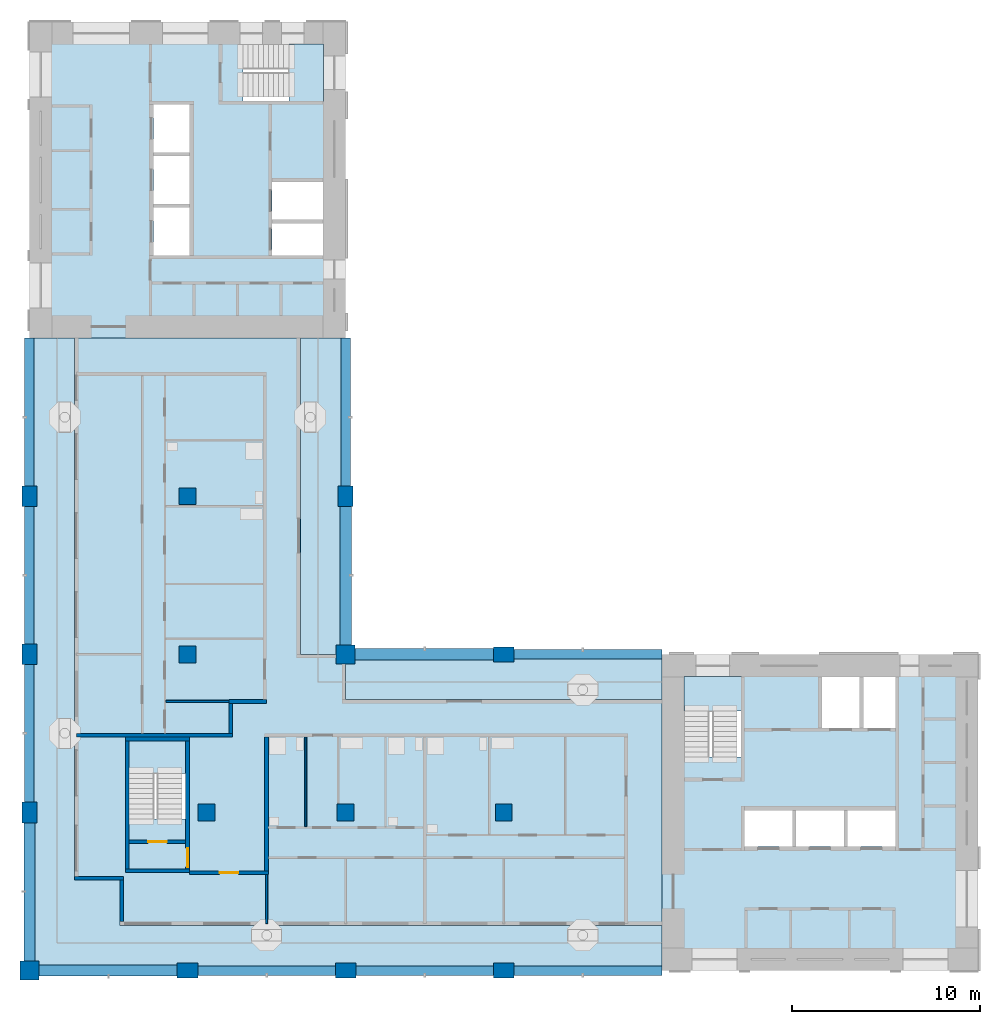
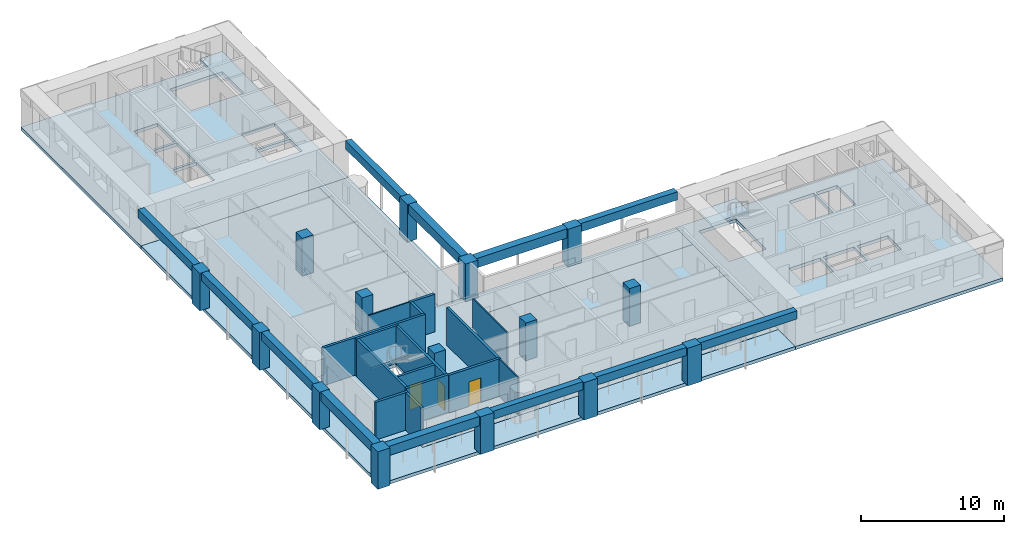
# One storey, part 1 of 12: 15 columns, 15 walls, 12 beams, 10 slabs, 3 doors, 3 openings, 3 elements without a shape of their own.
"""IFC4 building model written with IfcOpenShell, lengths in metres."""

from ifc_helpers import new_model, si_unit, direction, frame, frame_2d, origin, origin_2d, place, context, subcontext, project, spatial, polyline, rectangle, outline, extrude, material, layer, layer_set, material_profile, profile_set, type_object, element, fill, aggregate, save


model = new_model("IFC4")

# Units and contexts
model_context = context("Model", 3, precision=1e-05, world=origin(), true_north=direction((0.0, 1.0)))
body_context = subcontext(model_context, "Body", "Model", "MODEL_VIEW")
ifc_project = project(units=[si_unit("LENGTHUNIT", "METRE"), si_unit("AREAUNIT", "SQUARE_METRE"), si_unit("VOLUMEUNIT", "CUBIC_METRE"), si_unit("PLANEANGLEUNIT", "RADIAN"), si_unit("MASSUNIT", "GRAM", prefix="KILO")], contexts=[model_context])

# Site, building, storey
site_placement = place(None, origin())
site = spatial("IfcSite", under=ifc_project, at=site_placement, CompositionType="ELEMENT")
building_placement = place(site_placement, origin())
building = spatial("IfcBuilding", under=site, at=building_placement, Name="Vermilion Gate Residences", CompositionType="ELEMENT")
storey_placement = place(building_placement, frame((0.0, 0.0, 242.199951171875)))
storey = spatial("IfcBuildingStorey", under=building, at=storey_placement, Name="L63", CompositionType="ELEMENT", Elevation=242.199951171875)

# Columns
ifc_material_1 = material(Name="Concrete C50", Category="concrete")
ifc_material_profile_1 = material_profile(ifc_material_1, rectangle(XDim=1.0, YDim=1.0, at=origin_2d()), Name="RC-1000x1000")
ifc_profile_set_1 = profile_set([ifc_material_profile_1], Name="Concrete C50")
column_type_1 = type_object("IfcColumnType", Name="RC COLUMN 1000 X 1000 C50", PredefinedType="COLUMN", material=ifc_profile_set_1)
for number, where, z_axis, x_axis, name in (
    (1, (8.39990234375, 8.39990234375, 0.0), (0.0, 0.0, 1.0), (1.0, 0.0, 0.0), "Column 2-B L63"),
    (2, (25.199951171875, 25.199951171875, 0.0), (0.0, 0.0, 1.0), (1.0, 0.0, 0.0), "Column 4-D L63"),
):
    element("IfcColumn", number, at=place(storey_placement, frame(where, z_axis=z_axis, x_axis=x_axis)), inside=storey, type_object=column_type_1, Name=name, PredefinedType="COLUMN", context=body_context, shape_type="SweptSolid", body=[
        extrude(rectangle(XDim=1.0, YDim=1.0, at=origin_2d()), origin(), (0.0, 0.0, 1.0), 3.219970703125),
    ])
ifc_material_2 = material(Name="Concrete C50", Category="concrete")
ifc_material_profile_2 = material_profile(ifc_material_2, rectangle(XDim=1.10009765625, YDim=0.800048828125, at=origin_2d()), Name="RC-1100x800")
ifc_profile_set_2 = profile_set([ifc_material_profile_2], Name="Concrete C50")
column_type_2 = type_object("IfcColumnType", Name="RC COLUMN 1100 X 800 C50", PredefinedType="COLUMN", material=ifc_profile_set_2)
for number, where, z_axis, x_axis, name in (
    (3, (8.39990234375, 16.800048828125, 0.0), (0.0, 0.0, 1.0), (0.0, 1.0, 0.0), "Column 2-C L63"),
    (4, (8.39990234375, 25.199951171875, 0.0), (0.0, 0.0, 1.0), (0.0, 1.0, 0.0), "Column 2-D L63"),
    (5, (8.39990234375, 33.60009765625, 0.0), (0.0, 0.0, 1.0), (0.0, 1.0, 0.0), "Column 2-E L63"),
    (6, (16.800048828125, 8.39990234375, 0.0), (0.0, 0.0, 1.0), (1.0, 0.0, 0.0), "Column 3-B L63"),
    (7, (25.199951171875, 8.39990234375, 0.0), (0.0, 0.0, 1.0), (1.0, 0.0, 0.0), "Column 4-B L63"),
    (8, (25.199951171875, 33.60009765625, 0.0), (0.0, 0.0, 1.0), (0.0, 1.0, 0.0), "Column 4-E L63"),
    (9, (33.60009765625, 8.39990234375, 0.0), (0.0, 0.0, 1.0), (1.0, 0.0, 0.0), "Column 5-B L63"),
    (10, (33.60009765625, 25.199951171875, 0.0), (0.0, 0.0, 1.0), (1.0, 0.0, 0.0), "Column 5-D L63"),
):
    element("IfcColumn", number, at=place(storey_placement, frame(where, z_axis=z_axis, x_axis=x_axis)), inside=storey, type_object=column_type_2, Name=name, PredefinedType="COLUMN", context=body_context, shape_type="SweptSolid", body=[
        extrude(rectangle(XDim=1.10009765625, YDim=0.800048828125, at=origin_2d()), origin(), (0.0, 0.0, 1.0), 3.219970703125),
    ])
ifc_material_3 = material(Name="Concrete C50", Category="concrete")
ifc_material_profile_3 = material_profile(ifc_material_3, rectangle(XDim=0.89990234375, YDim=0.89990234375, at=origin_2d()), Name="RC-900x900")
ifc_profile_set_3 = profile_set([ifc_material_profile_3], Name="Concrete C50")
column_type_3 = type_object("IfcColumnType", Name="RC COLUMN 900 X 900 C50", PredefinedType="COLUMN", material=ifc_profile_set_3)
for number, where, z_axis, x_axis, name in (
    (11, (17.800048828125, 16.800048828125, 0.0), (0.0, 0.0, 1.0), (1.0, 0.0, 0.0), "Column 3-C L63"),
    (12, (16.800048828125, 25.199951171875, 0.0), (0.0, 0.0, 1.0), (1.0, 0.0, 0.0), "Column 3-D L63"),
    (13, (16.800048828125, 33.60009765625, 0.0), (0.0, 0.0, 1.0), (1.0, 0.0, 0.0), "Column 3-E L63"),
    (14, (25.199951171875, 16.800048828125, 0.0), (0.0, 0.0, 1.0), (1.0, 0.0, 0.0), "Column 4-C L63"),
    (15, (33.60009765625, 16.800048828125, 0.0), (0.0, 0.0, 1.0), (1.0, 0.0, 0.0), "Column 5-C L63"),
):
    element("IfcColumn", number, at=place(storey_placement, frame(where, z_axis=z_axis, x_axis=x_axis)), inside=storey, type_object=column_type_3, Name=name, PredefinedType="COLUMN", context=body_context, shape_type="SweptSolid", body=[
        extrude(rectangle(XDim=0.89990234375, YDim=0.89990234375, at=origin_2d()), origin(), (0.0, 0.0, 1.0), 3.219970703125),
    ])

# Beams
ifc_material_4 = material(Name="Concrete C60 red-oxide pigmented", Category="concrete")
ifc_material_profile_4 = material_profile(ifc_material_4, rectangle(XDim=0.60009765625, YDim=0.800048828125, at=origin_2d()), Name="RC-600x800")
ifc_profile_set_4 = profile_set([ifc_material_profile_4], Name="Concrete C60 red-oxide pigmented")
beam_type_1 = type_object("IfcBeamType", Name="RC CORNER EDGE BEAM 600 X 800 C60", PredefinedType="BEAM", material=ifc_profile_set_4)
for number, where, z_axis, x_axis, name in (
    (16, (8.89990234375, 8.39990234375, 2.820068359375), (1.0, 0.0, 0.0), (0.0, 1.0, 0.0), "Corner edge beam L63 1"),
    (17, (8.39990234375, 8.89990234375, 2.820068359375), (0.0, 1.0, 0.0), (-1.0, 0.0, 0.0), "Corner edge beam L63 2"),
    (18, (25.199951171875, 25.699951171875, 2.820068359375), (0.0, 1.0, 0.0), (-1.0, 0.0, 0.0), "Corner edge beam L63 7"),
    (19, (25.699951171875, 25.199951171875, 2.820068359375), (1.0, 0.0, 0.0), (0.0, 1.0, 0.0), "Corner edge beam L63 10"),
):
    element("IfcBeam", number, at=place(storey_placement, frame(where, z_axis=z_axis, x_axis=x_axis)), inside=storey, type_object=beam_type_1, Name=name, PredefinedType="BEAM", context=body_context, shape_type="SweptSolid", body=[
        extrude(rectangle(XDim=0.60009765625, YDim=0.800048828125, at=origin_2d()), origin(), (0.0, 0.0, 1.0), 7.35009765625),
    ])
ifc_material_5 = material(Name="Concrete C60 red-oxide pigmented", Category="concrete")
ifc_material_profile_5 = material_profile(ifc_material_5, rectangle(XDim=0.5, YDim=0.699951171875, at=origin_2d()), Name="RC-500x700")
ifc_profile_set_5 = profile_set([ifc_material_profile_5], Name="Concrete C60 red-oxide pigmented")
beam_type_2 = type_object("IfcBeamType", Name="RC EDGE BEAM 500 X 700 C60", PredefinedType="BEAM", material=ifc_profile_set_5)
beam_1_placement = place(storey_placement, frame((8.39990234375, 17.35009765625, 2.8701171875), z_axis=(0.0, 1.0, 0.0), x_axis=(-1.0, 0.0, 0.0)))
element("IfcBeam", 20, at=beam_1_placement, inside=storey, type_object=beam_type_2, Name="Edge beam L63 3", PredefinedType="BEAM", context=body_context, shape_type="SweptSolid", body=[
    extrude(rectangle(XDim=0.5, YDim=0.699951171875, at=origin_2d()), origin(), (0.0, 0.0, 1.0), 7.2998046875),
])
beam_2_placement = place(storey_placement, frame((8.39990234375, 25.75, 2.8701171875), z_axis=(0.0, 1.0, 0.0), x_axis=(-1.0, 0.0, 0.0)))
element("IfcBeam", 21, at=beam_2_placement, inside=storey, type_object=beam_type_2, Name="Edge beam L63 4", PredefinedType="BEAM", context=body_context, shape_type="SweptSolid", body=[
    extrude(rectangle(XDim=0.5, YDim=0.699951171875, at=origin_2d()), origin(), (0.0, 0.0, 1.0), 7.300048828125),
])
beam_3_placement = place(storey_placement, frame((8.39990234375, 34.14990234375, 2.8701171875), z_axis=(0.0, 1.0, 0.0), x_axis=(-1.0, 0.0, 0.0)))
element("IfcBeam", 22, at=beam_3_placement, inside=storey, type_object=beam_type_2, Name="Edge beam L63 5", PredefinedType="BEAM", context=body_context, shape_type="SweptSolid", body=[
    extrude(rectangle(XDim=0.5, YDim=0.699951171875, at=origin_2d()), origin(), (0.0, 0.0, 1.0), 7.85009765625),
])
beam_4_placement = place(storey_placement, frame((17.35009765625, 8.39990234375, 2.8701171875), z_axis=(1.0, 0.0, 0.0), x_axis=(0.0, 1.0, 0.0)))
element("IfcBeam", 23, at=beam_4_placement, inside=storey, type_object=beam_type_2, Name="Edge beam L63 6", PredefinedType="BEAM", context=body_context, shape_type="SweptSolid", body=[
    extrude(rectangle(XDim=0.5, YDim=0.699951171875, at=origin_2d()), origin(), (0.0, 0.0, 1.0), 7.2998046875),
])
beam_5_placement = place(storey_placement, frame((25.199951171875, 34.14990234375, 2.8701171875), z_axis=(0.0, 1.0, 0.0), x_axis=(-1.0, 0.0, 0.0)))
element("IfcBeam", 24, at=beam_5_placement, inside=storey, type_object=beam_type_2, Name="Edge beam L63 8", PredefinedType="BEAM", context=body_context, shape_type="SweptSolid", body=[
    extrude(rectangle(XDim=0.5, YDim=0.699951171875, at=origin_2d()), origin(), (0.0, 0.0, 1.0), 7.85009765625),
])
beam_6_placement = place(storey_placement, frame((25.75, 8.39990234375, 2.8701171875), z_axis=(1.0, 0.0, 0.0), x_axis=(0.0, 1.0, 0.0)))
element("IfcBeam", 25, at=beam_6_placement, inside=storey, type_object=beam_type_2, Name="Edge beam L63 9", PredefinedType="BEAM", context=body_context, shape_type="SweptSolid", body=[
    extrude(rectangle(XDim=0.5, YDim=0.699951171875, at=origin_2d()), origin(), (0.0, 0.0, 1.0), 7.300048828125),
])
for number, where, z_axis, x_axis, name in (
    (26, (34.14990234375, 8.39990234375, 2.8701171875), (1.0, 0.0, 0.0), (0.0, 1.0, 0.0), "Edge beam L63 11"),
    (27, (34.14990234375, 25.199951171875, 2.8701171875), (1.0, 0.0, 0.0), (0.0, 1.0, 0.0), "Edge beam L63 12"),
):
    element("IfcBeam", number, at=place(storey_placement, frame(where, z_axis=z_axis, x_axis=x_axis)), inside=storey, type_object=beam_type_2, Name=name, PredefinedType="BEAM", context=body_context, shape_type="SweptSolid", body=[
        extrude(rectangle(XDim=0.5, YDim=0.699951171875, at=origin_2d()), origin(), (0.0, 0.0, 1.0), 7.85009765625),
    ])

# Slabs
ifc_material_6 = material(Name="Concrete C50", Category="concrete")
ifc_layer_1 = layer(ifc_material_6, 0.280029296875)
ifc_layer_set_1 = layer_set([ifc_layer_1], Name="RC CORE FLOOR SLAB 280 C50")
slab_type_1 = type_object("IfcSlabType", Name="RC CORE FLOOR SLAB 280 C50", PredefinedType="FLOOR", material=ifc_layer_set_1)
slab_1_placement = place(storey_placement, frame((0.0, 0.0, -0.280029296875)))
element("IfcSlab", 28, at=slab_1_placement, inside=storey, type_object=slab_type_1, Name="Core floor slab A63", PredefinedType="FLOOR", context=body_context, shape_type="SweptSolid", body=[
    extrude(outline(polyline([(42.0, 8.39990234375), (58.800048828125, 8.39990234375), (58.800048828125, 25.199951171875), (42.0, 25.199951171875), (42.0, 8.39990234375)]), holes=[polyline([(46.39990234375, 15.0), (46.39990234375, 16.89990234375), (48.933349609375, 16.89990234375), (48.933349609375, 15.0), (46.39990234375, 15.0)]), polyline([(49.13330078125, 16.89990234375), (51.666748046875, 16.89990234375), (51.666748046875, 15.0), (49.13330078125, 15.0), (49.13330078125, 16.89990234375)]), polyline([(51.86669921875, 16.89990234375), (54.39990234375, 16.89990234375), (54.39990234375, 15.0), (51.86669921875, 15.0), (51.86669921875, 16.89990234375)]), polyline([(43.199951171875, 19.75), (43.199951171875, 24.0), (46.199951171875, 24.0), (46.199951171875, 19.75), (43.199951171875, 19.75)]), polyline([(50.5, 24.0), (52.5, 24.0), (52.5, 21.300048828125), (50.5, 21.300048828125), (50.5, 24.0)]), polyline([(52.699951171875, 24.0), (54.39990234375, 24.0), (54.39990234375, 21.300048828125), (52.699951171875, 21.300048828125), (52.699951171875, 24.0)])]), origin(), (0.0, 0.0, 1.0), 0.280029296875),
])
slab_2_placement = place(storey_placement, frame((0.0, 0.0, -0.280029296875)))
element("IfcSlab", 29, at=slab_2_placement, inside=storey, type_object=slab_type_1, Name="Core floor slab B63", PredefinedType="FLOOR", context=body_context, shape_type="SweptSolid", body=[
    extrude(outline(polyline([(8.39990234375, 42.0), (25.199951171875, 42.0), (25.199951171875, 58.800048828125), (8.39990234375, 58.800048828125), (8.39990234375, 42.0)]), holes=[polyline([(21.300048828125, 46.39990234375), (21.300048828125, 48.10009765625), (24.0, 48.10009765625), (24.0, 46.39990234375), (21.300048828125, 46.39990234375)]), polyline([(15.0, 48.933349609375), (16.89990234375, 48.933349609375), (16.89990234375, 46.39990234375), (15.0, 46.39990234375), (15.0, 48.933349609375)]), polyline([(21.300048828125, 50.300048828125), (24.0, 50.300048828125), (24.0, 48.300048828125), (21.300048828125, 48.300048828125), (21.300048828125, 50.300048828125)]), polyline([(15.0, 49.13330078125), (15.0, 51.666748046875), (16.89990234375, 51.666748046875), (16.89990234375, 49.13330078125), (15.0, 49.13330078125)]), polyline([(15.0, 54.39990234375), (16.89990234375, 54.39990234375), (16.89990234375, 51.86669921875), (15.0, 51.86669921875), (15.0, 54.39990234375)]), polyline([(19.75, 57.60009765625), (24.0, 57.60009765625), (24.0, 54.60009765625), (19.75, 54.60009765625), (19.75, 57.60009765625)])]), origin(), (0.0, 0.0, 1.0), 0.280029296875),
])
slab_3_placement = place(storey_placement, frame((0.0, 0.0, -0.280029296875)))
element("IfcSlab", 30, at=slab_3_placement, inside=storey, type_object=slab_type_1, Name="Apex stair floor slab 63", PredefinedType="FLOOR", context=body_context, shape_type="SweptSolid", body=[
    extrude(outline(polyline([(13.5, 13.60009765625), (16.89990234375, 13.60009765625), (16.89990234375, 20.800048828125), (13.5, 20.800048828125), (13.5, 13.60009765625)]), holes=[polyline([(16.699951171875, 20.60009765625), (16.699951171875, 16.449951171875), (13.699951171875, 16.449951171875), (13.699951171875, 20.60009765625), (16.699951171875, 20.60009765625)])]), origin(), (0.0, 0.0, 1.0), 0.280029296875),
])
ifc_material_7 = material(Name="Concrete C50", Category="concrete")
ifc_layer_2 = layer(ifc_material_7, 0.280029296875)
ifc_layer_set_2 = layer_set([ifc_layer_2], Name="RC FLAT PLATE 280 C50")
slab_type_2 = type_object("IfcSlabType", Name="RC FLAT PLATE 280 C50", PredefinedType="FLOOR", material=ifc_layer_set_2)
slab_4_placement = place(storey_placement, frame((0.0, 0.0, -0.280029296875)))
element("IfcSlab", 31, at=slab_4_placement, inside=storey, type_object=slab_type_2, Name="Floor slab L63", PredefinedType="FLOOR", context=body_context, shape_type="SweptSolid", body=[
    extrude(outline(polyline([(22.800048828125, 25.199951171875), (22.800048828125, 42.0), (10.800048828125, 42.0), (10.800048828125, 13.199951171875), (13.199951171875, 13.199951171875), (13.199951171875, 10.800048828125), (42.0, 10.800048828125), (42.0, 22.800048828125), (25.199951171875, 22.800048828125), (25.199951171875, 25.199951171875), (22.800048828125, 25.199951171875)]), holes=[polyline([(13.5, 13.60009765625), (13.5, 20.800048828125), (16.89990234375, 20.800048828125), (16.89990234375, 13.60009765625), (13.5, 13.60009765625)])]), origin(), (0.0, 0.0, 1.0), 0.280029296875),
])
ifc_material_8 = material(Name="Concrete C50 red-oxide pigmented", Category="concrete")
ifc_layer_3 = layer(ifc_material_8, 0.280029296875)
ifc_layer_set_3 = layer_set([ifc_layer_3], Name="RC LOGGIA SLAB 280 C50")
slab_type_3 = type_object("IfcSlabType", Name="RC LOGGIA SLAB 280 C50", PredefinedType="FLOOR", material=ifc_layer_set_3)
slab_5_placement = place(storey_placement, frame((0.0, 0.0, -0.280029296875)))
element("IfcSlab", 32, at=slab_5_placement, inside=storey, type_object=slab_type_3, Name="Loggia slab L63", PredefinedType="FLOOR", context=body_context, shape_type="SweptSolid", body=[
    extrude(outline(polyline([(8.39990234375, 8.39990234375), (42.0, 8.39990234375), (42.0, 10.800048828125), (13.199951171875, 10.800048828125), (13.199951171875, 13.199951171875), (10.800048828125, 13.199951171875), (10.800048828125, 42.0), (8.39990234375, 42.0), (8.39990234375, 8.39990234375)])), origin(), (0.0, 0.0, 1.0), 0.280029296875),
])
slab_6_placement = place(storey_placement, frame((0.0, 0.0, -0.280029296875)))
element("IfcSlab", 33, at=slab_6_placement, inside=storey, type_object=slab_type_3, Name="Loggia slab L63", PredefinedType="FLOOR", context=body_context, shape_type="SweptSolid", body=[
    extrude(outline(polyline([(25.199951171875, 22.800048828125), (42.0, 22.800048828125), (42.0, 25.199951171875), (25.199951171875, 25.199951171875), (25.199951171875, 22.800048828125)])), origin(), (0.0, 0.0, 1.0), 0.280029296875),
])
slab_7_placement = place(storey_placement, frame((0.0, 0.0, -0.280029296875)))
element("IfcSlab", 34, at=slab_7_placement, inside=storey, type_object=slab_type_3, Name="Loggia slab L63", PredefinedType="FLOOR", context=body_context, shape_type="SweptSolid", body=[
    extrude(outline(polyline([(25.199951171875, 42.0), (22.800048828125, 42.0), (22.800048828125, 25.199951171875), (25.199951171875, 25.199951171875), (25.199951171875, 42.0)])), origin(), (0.0, 0.0, 1.0), 0.280029296875),
])

# Stair, slab
ifc_material_9 = material(Name="Concrete C50", Category="concrete")
stair_type = type_object("IfcStairType", Name="SPECIAL ESCAPE STAIR 1300", PredefinedType="HALF_TURN_STAIR", material=ifc_material_9)
stair_1_placement = place(storey_placement, origin())
stair_1 = element("IfcStair", 35, at=stair_1_placement, inside=storey, type_object=stair_type, Name="Special escape stair STA1-63", PredefinedType="HALF_TURN_STAIR")
ifc_material_10 = material(Name="Concrete C50", Category="concrete")
ifc_layer_4 = layer(ifc_material_10, 0.199951171875)
ifc_layer_set_4 = layer_set([ifc_layer_4], Name="STAIR LANDING 200 C50")
slab_type_4 = type_object("IfcSlabType", Name="STAIR LANDING 200 C50", PredefinedType="LANDING", material=ifc_layer_set_4)
slab_8_placement = place(storey_placement, frame((0.0, 0.0, 1.550048828125)))
slab_8 = element("IfcSlab", 36, at=slab_8_placement, type_object=slab_type_4, Name="STA1-63 landing 1", PredefinedType="LANDING", context=body_context, shape_type="SweptSolid", body=[
    extrude(outline(polyline([(46.219970703125, 22.179931640625), (46.219970703125, 24.02001953125), (43.179931640625, 24.02001953125), (43.179931640625, 22.179931640625), (46.219970703125, 22.179931640625)])), origin(), (0.0, 0.0, 1.0), 0.199951171875),
])
aggregate(stair_1, [slab_8])

stair_2_placement = place(storey_placement, origin())
stair_2 = element("IfcStair", 37, at=stair_2_placement, inside=storey, type_object=stair_type, Name="Special escape stair STB1-63", PredefinedType="HALF_TURN_STAIR")
slab_9_placement = place(storey_placement, frame((0.0, 0.0, 1.550048828125)))
slab_9 = element("IfcSlab", 38, at=slab_9_placement, type_object=slab_type_4, Name="STB1-63 landing 1", PredefinedType="LANDING", context=body_context, shape_type="SweptSolid", body=[
    extrude(outline(polyline([(24.02001953125, 54.580078125), (24.02001953125, 57.6201171875), (22.179931640625, 57.6201171875), (22.179931640625, 54.580078125), (24.02001953125, 54.580078125)])), origin(), (0.0, 0.0, 1.0), 0.199951171875),
])
aggregate(stair_2, [slab_9])

stair_3_placement = place(storey_placement, origin())
stair_3 = element("IfcStair", 39, at=stair_3_placement, inside=storey, type_object=stair_type, Name="Special escape stair STC1-63", PredefinedType="HALF_TURN_STAIR")
slab_10_placement = place(storey_placement, frame((0.0, 0.0, 1.550048828125)))
slab_10 = element("IfcSlab", 40, at=slab_10_placement, type_object=slab_type_4, Name="STC1-63 landing 1", PredefinedType="LANDING", context=body_context, shape_type="SweptSolid", body=[
    extrude(outline(polyline([(16.719970703125, 18.8798828125), (16.719970703125, 20.6201171875), (13.679931640625, 20.6201171875), (13.679931640625, 18.8798828125), (16.719970703125, 18.8798828125)])), origin(), (0.0, 0.0, 1.0), 0.199951171875),
])
aggregate(stair_3, [slab_10])

# Walls
ifc_material_11 = material(Name="Insulated steel stud wall with terracotta rainscreen", Category="masonry")
ifc_layer_5 = layer(ifc_material_11, 0.199951171875)
ifc_layer_set_5 = layer_set([ifc_layer_5], Name="EXTERNAL WALL 200 TERRACOTTA RAINSCREEN")
wall_type_1 = type_object("IfcWallType", Name="EXTERNAL WALL 200 TERRACOTTA RAINSCREEN", PredefinedType="SOLIDWALL", material=ifc_layer_set_5)
wall_1_placement = place(storey_placement, frame((10.800048828125, 13.300048828125, 0.0), z_axis=(0.0, 0.0, 1.0), x_axis=(1.0, 0.0, 0.0)))
element("IfcWall", 41, at=wall_1_placement, inside=storey, type_object=wall_type_1, Name="External wall", PredefinedType="SOLIDWALL", context=body_context, shape_type="SweptSolid", body=[
    extrude(rectangle(XDim=2.599853515625, YDim=0.199951171875, at=frame_2d((1.2998046875, 0.0))), origin(), (0.0, 0.0, 1.0), 3.219970703125),
])
wall_2_placement = place(storey_placement, frame((13.300048828125, 13.199951171875, 0.0), z_axis=(0.0, 0.0, 1.0), x_axis=(0.0, -1.0, 0.0)))
element("IfcWall", 42, at=wall_2_placement, inside=storey, type_object=wall_type_1, Name="External wall", PredefinedType="SOLIDWALL", context=body_context, shape_type="SweptSolid", body=[
    extrude(rectangle(XDim=2.199951171875, YDim=0.199951171875, at=frame_2d((1.10009765625, 0.0))), origin(), (0.0, 0.0, 1.0), 3.219970703125),
])
ifc_material_12 = material(Name="Plasterboard on steel studs", Category="steel")
ifc_layer_6 = layer(ifc_material_12, 0.10009765625)
ifc_layer_set_6 = layer_set([ifc_layer_6], Name="PARTITION 100")
wall_type_2 = type_object("IfcWallType", Name="PARTITION 100", PredefinedType="PARTITIONING", material=ifc_layer_set_6)
wall_3_placement = place(storey_placement, frame((15.64990234375, 22.699951171875, 0.0), z_axis=(0.0, 0.0, 1.0), x_axis=(1.0, 0.0, 0.0)))
element("IfcWall", 43, at=wall_3_placement, inside=storey, type_object=wall_type_2, Name="Partition", PredefinedType="PARTITIONING", context=body_context, shape_type="SweptSolid", body=[
    extrude(rectangle(XDim=3.35009765625, YDim=0.10009765625, at=frame_2d((1.675048828125, 0.0))), origin(), (0.0, 0.0, 1.0), 3.219970703125),
])
wall_4_placement = place(storey_placement, frame((21.0, 10.89990234375, 0.0), z_axis=(0.0, 0.0, 1.0), x_axis=(0.0, 1.0, 0.0)))
element("IfcWall", 44, at=wall_4_placement, inside=storey, type_object=wall_type_2, Name="Partition", PredefinedType="PARTITIONING", context=body_context, shape_type="SweptSolid", body=[
    extrude(rectangle(XDim=2.60009765625, YDim=0.10009765625, at=frame_2d((1.300048828125, 0.0))), origin(), (0.0, 0.0, 1.0), 3.219970703125),
])
wall_5_placement = place(storey_placement, frame((23.080078125, 16.050048828125, 0.0), z_axis=(0.0, 0.0, 1.0), x_axis=(0.0, 1.0, 0.0)))
element("IfcWall", 45, at=wall_5_placement, inside=storey, type_object=wall_type_2, Name="Partition", PredefinedType="PARTITIONING", context=body_context, shape_type="SweptSolid", body=[
    extrude(rectangle(XDim=4.75, YDim=0.10009765625, at=frame_2d((2.375, 0.0))), origin(), (0.0, 0.0, 1.0), 3.219970703125),
])

# Wall, opening, door
ifc_material_13 = material(Name="Fire-rated plasterboard on steel studs", Category="steel")
ifc_layer_7 = layer(ifc_material_13, 0.199951171875)
ifc_layer_set_7 = layer_set([ifc_layer_7], Name="PARTY WALL 200 EI 120")
wall_type_3 = type_object("IfcWallType", Name="PARTY WALL 200 EI 120", PredefinedType="PARTITIONING", material=ifc_layer_set_7)
wall_6_placement = place(storey_placement, frame((16.89990234375, 13.60009765625, 0.0), z_axis=(0.0, 0.0, 1.0), x_axis=(1.0, 0.0, 0.0)))
wall_6 = element("IfcWall", 46, at=wall_6_placement, inside=storey, type_object=wall_type_3, Name="Party and corridor wall", PredefinedType="PARTITIONING", context=body_context, shape_type="SweptSolid", body=[
    extrude(rectangle(XDim=4.2001953125, YDim=0.199951171875, at=frame_2d((2.10009765625, 0.0))), origin(), (0.0, 0.0, 1.0), 3.219970703125),
])
opening_1_placement = place(wall_6_placement, frame((1.60009765625, 0.0, 0.0)))
opening_1 = element("IfcOpeningElement", 47, at=opening_1_placement, cuts=wall_6, Name="Opening DA61001", PredefinedType="OPENING", context=body_context, shape_type="SweptSolid", body=[
    extrude(rectangle(XDim=1.0, YDim=2.10009765625, at=frame_2d((0.5, 1.050048828125))), frame((0.0, 0.10986328125, 0.0), z_axis=(0.0, -1.0, 0.0), x_axis=(1.0, 0.0, 0.0)), (0.0, 0.0, 1.0), 0.219970703125),
])
ifc_material_14 = material(Name="Steel", Category="steel")
door_type_1 = type_object("IfcDoorType", Name="ENTRANCE DOOR 1000 X 2100 FD30", OperationType="SINGLE_SWING_LEFT", PredefinedType="DOOR", material=ifc_material_14)
door_1_placement = place(opening_1_placement, frame((1.0, 0.0, 0.0), z_axis=(0.0, 0.0, 1.0), x_axis=(-1.0, 0.0, 0.0)))
door_1 = element("IfcDoor", 48, at=door_1_placement, inside=storey, type_object=door_type_1, Name="Entrance door", OperationType="SINGLE_SWING_LEFT", OverallHeight=2.10009765625, OverallWidth=1.0, PredefinedType="DOOR", context=body_context, shape_type="SweptSolid", body=[
    extrude(rectangle(XDim=1.0, YDim=2.10009765625, at=frame_2d((0.5, 1.050048828125))), frame((0.0, 0.02490234375, 0.0), z_axis=(0.0, -1.0, 0.0), x_axis=(1.0, 0.0, 0.0)), (0.0, 0.0, 1.0), 0.050048828125),
])
fill(opening_1, door_1)

# Walls
wall_7_placement = place(storey_placement, frame((10.89990234375, 20.89990234375, 0.0), z_axis=(0.0, 0.0, 1.0), x_axis=(1.0, 0.0, 0.0)))
element("IfcWall", 49, at=wall_7_placement, inside=storey, type_object=wall_type_3, Name="Party and corridor wall", PredefinedType="PARTITIONING", context=body_context, shape_type="SweptSolid", body=[
    extrude(rectangle(XDim=8.300048828125, YDim=0.199951171875, at=frame_2d((4.14990234375, 0.0))), origin(), (0.0, 0.0, 1.0), 3.219970703125),
])
wall_8_placement = place(storey_placement, frame((19.0, 22.699951171875, 0.0), z_axis=(0.0, 0.0, 1.0), x_axis=(1.0, 0.0, 0.0)))
element("IfcWall", 50, at=wall_8_placement, inside=storey, type_object=wall_type_3, Name="Party and corridor wall", PredefinedType="PARTITIONING", context=body_context, shape_type="SweptSolid", body=[
    extrude(rectangle(XDim=2.0, YDim=0.199951171875, at=frame_2d((1.0, 0.0))), origin(), (0.0, 0.0, 1.0), 3.219970703125),
])
wall_9_placement = place(storey_placement, frame((19.10009765625, 21.0, 0.0), z_axis=(0.0, 0.0, 1.0), x_axis=(0.0, 1.0, 0.0)))
element("IfcWall", 51, at=wall_9_placement, inside=storey, type_object=wall_type_3, Name="Party and corridor wall", PredefinedType="PARTITIONING", context=body_context, shape_type="SweptSolid", body=[
    extrude(rectangle(XDim=1.60009765625, YDim=0.199951171875, at=frame_2d((0.800048828125, 0.0))), origin(), (0.0, 0.0, 1.0), 3.219970703125),
])
wall_10_placement = place(storey_placement, frame((21.0, 13.699951171875, 0.0), z_axis=(0.0, 0.0, 1.0), x_axis=(0.0, 1.0, 0.0)))
element("IfcWall", 52, at=wall_10_placement, inside=storey, type_object=wall_type_3, Name="Party and corridor wall", PredefinedType="PARTITIONING", context=body_context, shape_type="SweptSolid", body=[
    extrude(rectangle(XDim=7.10009765625, YDim=0.199951171875, at=frame_2d((3.550048828125, 0.0))), origin(), (0.0, 0.0, 1.0), 3.219970703125),
])
ifc_material_15 = material(Name="Concrete C60", Category="concrete")
ifc_layer_8 = layer(ifc_material_15, 0.199951171875)
ifc_layer_set_8 = layer_set([ifc_layer_8], Name="RC CORE INTERNAL WALL 200 C60")
wall_type_4 = type_object("IfcWallType", Name="RC CORE INTERNAL WALL 200 C60", PredefinedType="SHEAR", material=ifc_layer_set_8)
wall_11_placement = place(storey_placement, frame((13.60009765625, 13.800048828125, 0.0), z_axis=(0.0, 0.0, 1.0), x_axis=(0.0, 1.0, 0.0)))
element("IfcWall", 53, at=wall_11_placement, inside=storey, type_object=wall_type_4, Name="Core internal wall C63-W", PredefinedType="SHEAR", context=body_context, shape_type="SweptSolid", body=[
    extrude(rectangle(XDim=6.800048828125, YDim=0.199951171875, at=frame_2d((3.39990234375, 0.0))), origin(), (0.0, 0.0, 1.0), 3.219970703125),
])

# Wall, opening, door
wall_12_placement = place(storey_placement, frame((16.800048828125, 13.800048828125, 0.0), z_axis=(0.0, 0.0, 1.0), x_axis=(0.0, 1.0, 0.0)))
wall_12 = element("IfcWall", 54, at=wall_12_placement, inside=storey, type_object=wall_type_4, Name="Core internal wall C63-E", PredefinedType="SHEAR", context=body_context, shape_type="SweptSolid", body=[
    extrude(rectangle(XDim=6.800048828125, YDim=0.199951171875, at=frame_2d((3.39990234375, 0.0))), origin(), (0.0, 0.0, 1.0), 3.219970703125),
])
opening_2_placement = place(wall_12_placement, frame((0.10009765625, 0.0, 0.0)))
opening_2 = element("IfcOpeningElement", 55, at=opening_2_placement, cuts=wall_12, Name="Opening DK63201", PredefinedType="OPENING", context=body_context, shape_type="SweptSolid", body=[
    extrude(rectangle(XDim=1.0, YDim=2.10009765625, at=frame_2d((0.5, 1.050048828125))), frame((0.0, 0.10986328125, 0.0), z_axis=(0.0, -1.0, 0.0), x_axis=(1.0, 0.0, 0.0)), (0.0, 0.0, 1.0), 0.219970703125),
])
ifc_material_16 = material(Name="Steel", Category="steel")
door_type_2 = type_object("IfcDoorType", Name="FIRE DOOR FD60 1000 X 2100", OperationType="SINGLE_SWING_LEFT", PredefinedType="DOOR", material=ifc_material_16)
door_2_placement = place(opening_2_placement, frame((1.0, 0.0, 0.0), z_axis=(0.0, 0.0, 1.0), x_axis=(-1.0, 0.0, 0.0)))
door_2 = element("IfcDoor", 56, at=door_2_placement, inside=storey, type_object=door_type_2, Name="Stair vestibule door C63", OperationType="SINGLE_SWING_RIGHT", OverallHeight=2.10009765625, OverallWidth=1.0, PredefinedType="DOOR", context=body_context, shape_type="SweptSolid", body=[
    extrude(rectangle(XDim=1.0, YDim=2.10009765625, at=frame_2d((0.5, 1.050048828125))), frame((0.0, 0.02490234375, 0.0), z_axis=(0.0, -1.0, 0.0), x_axis=(1.0, 0.0, 0.0)), (0.0, 0.0, 1.0), 0.050048828125),
])
fill(opening_2, door_2)

# Walls
for number, where, z_axis, x_axis, name in (
    (57, (13.5, 13.699951171875, 0.0), (0.0, 0.0, 1.0), (1.0, 0.0, 0.0), "Core internal wall C63-S"),
    (58, (13.5, 20.699951171875, 0.0), (0.0, 0.0, 1.0), (1.0, 0.0, 0.0), "Core internal wall C63-N"),
):
    element("IfcWall", number, at=place(storey_placement, frame(where, z_axis=z_axis, x_axis=x_axis)), inside=storey, type_object=wall_type_4, Name=name, PredefinedType="SHEAR", context=body_context, shape_type="SweptSolid", body=[
        extrude(rectangle(XDim=3.39990234375, YDim=0.199951171875, at=frame_2d((1.699951171875, 0.0))), origin(), (0.0, 0.0, 1.0), 3.219970703125),
    ])

# Wall, opening, door
wall_13_placement = place(storey_placement, frame((13.699951171875, 15.25, 0.0), z_axis=(0.0, 0.0, 1.0), x_axis=(1.0, 0.0, 0.0)))
wall_13 = element("IfcWall", 59, at=wall_13_placement, inside=storey, type_object=wall_type_4, Name="Core internal wall C63-P", PredefinedType="SHEAR", context=body_context, shape_type="SweptSolid", body=[
    extrude(rectangle(XDim=3.0, YDim=0.199951171875, at=frame_2d((1.5, 0.0))), origin(), (0.0, 0.0, 1.0), 3.219970703125),
])
opening_3_placement = place(wall_13_placement, frame((1.0, 0.0, 0.0)))
opening_3 = element("IfcOpeningElement", 60, at=opening_3_placement, cuts=wall_13, Name="Opening DK63202", PredefinedType="OPENING", context=body_context, shape_type="SweptSolid", body=[
    extrude(rectangle(XDim=1.0, YDim=2.10009765625, at=frame_2d((0.5, 1.050048828125))), frame((0.0, 0.10986328125, 0.0), z_axis=(0.0, -1.0, 0.0), x_axis=(1.0, 0.0, 0.0)), (0.0, 0.0, 1.0), 0.219970703125),
])
door_3_placement = place(opening_3_placement, origin())
door_3 = element("IfcDoor", 61, at=door_3_placement, inside=storey, type_object=door_type_2, Name="Stair door C63", OperationType="SINGLE_SWING_LEFT", OverallHeight=2.10009765625, OverallWidth=1.0, PredefinedType="DOOR", context=body_context, shape_type="SweptSolid", body=[
    extrude(rectangle(XDim=1.0, YDim=2.10009765625, at=frame_2d((0.5, 1.050048828125))), frame((0.0, 0.02490234375, 0.0), z_axis=(0.0, -1.0, 0.0), x_axis=(1.0, 0.0, 0.0)), (0.0, 0.0, 1.0), 0.050048828125),
])
fill(opening_3, door_3)

save(model, "model.ifc")
